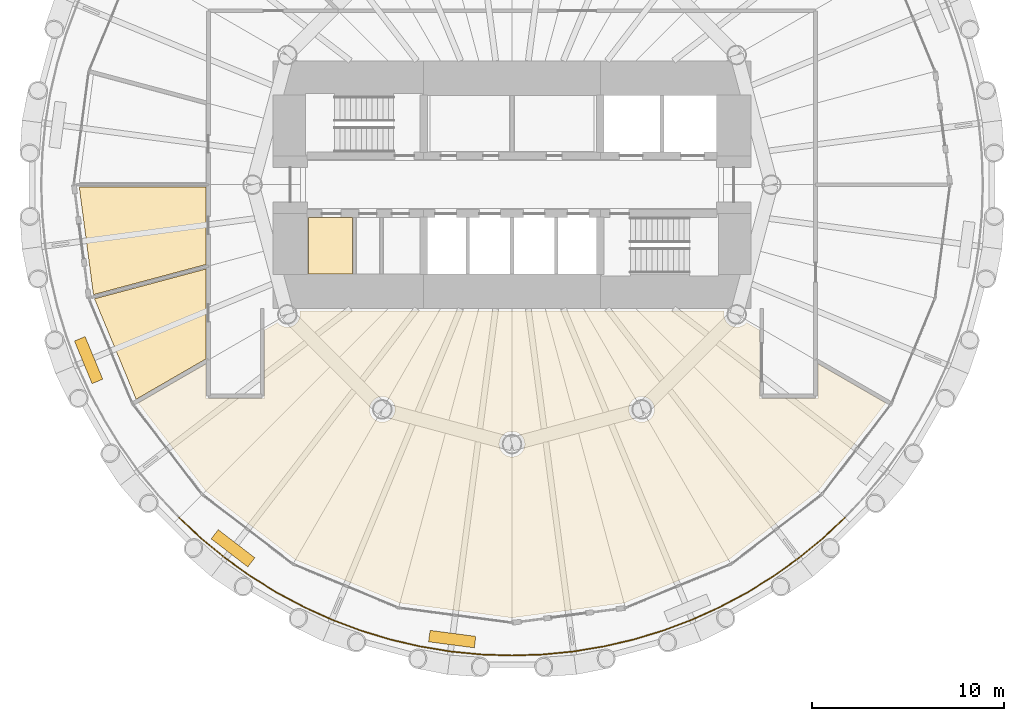
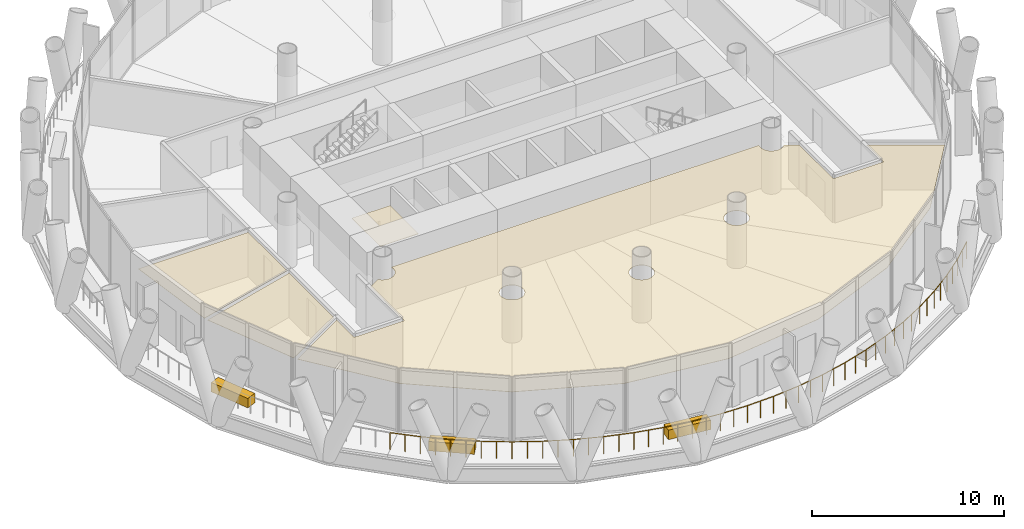
# One storey, part 11 of 14: 7 coverings, 1 railing.
"""IFC4 building model written with IfcOpenShell, lengths in metres."""

from ifc_helpers import new_model, si_unit, direction, frame, origin, origin_2d, place, context, subcontext, project, spatial, polyline, rectangle, circle, outline, extrude, material, layer, layer_set, type_object, element, save


model = new_model("IFC4")

# Units and contexts
model_context = context("Model", 3, precision=1e-05, world=origin(), true_north=direction((0.0, 1.0)))
body_context = subcontext(model_context, "Body", "Model", "MODEL_VIEW")
ifc_project = project(units=[si_unit("LENGTHUNIT", "METRE"), si_unit("AREAUNIT", "SQUARE_METRE"), si_unit("VOLUMEUNIT", "CUBIC_METRE"), si_unit("PLANEANGLEUNIT", "RADIAN"), si_unit("MASSUNIT", "GRAM", prefix="KILO")], contexts=[model_context])

# Site, building, storey
site_placement = place(None, origin())
site = spatial("IfcSite", under=ifc_project, at=site_placement, CompositionType="ELEMENT")
building_placement = place(site_placement, origin())
building = spatial("IfcBuilding", under=site, at=building_placement, Name="Qaws Media Tower", CompositionType="ELEMENT")
storey_placement = place(building_placement, frame((0.0, 0.0, 118.39990234375)))
storey = spatial("IfcBuildingStorey", under=building, at=storey_placement, Name="L26", CompositionType="ELEMENT", Elevation=118.39990234375)

# Railing
ifc_material_1 = material(Name="Stainless steel and glass guard", Category="steel")
railing_type = type_object("IfcRailingType", Name="Balcony guard 1100", PredefinedType="GUARDRAIL", material=ifc_material_1)
railing_placement = place(storey_placement, frame((42.67578125, 32.67578125, 0.0)))
element("IfcRailing", 1, at=railing_placement, inside=storey, type_object=railing_type, Name="GR1 balcony guard L26-3", PredefinedType="GUARDRAIL", context=body_context, shape_type="SweptSolid", body=[
    extrude(circle(Radius=0.02392578125, at=origin_2d()), frame((0.0, 0.0, 1.076171875), z_axis=(0.729874282571, -0.683581400889, 0.0), x_axis=(0.683581400889, 0.729874282571, 0.0)), (0.0, 0.0, 1.0), 1.603271484375),
    extrude(circle(Radius=0.02392578125, at=origin_2d()), frame((1.170166015625, -1.095947265625, 1.076171875), z_axis=(0.773054224707, -0.634339944874, 0.0), x_axis=(0.634339944874, 0.773054224707, 0.0)), (0.0, 0.0, 1.0), 1.603271484375),
    extrude(circle(Radius=0.02392578125, at=origin_2d()), frame((2.40966796875, -2.113037109375, 1.076171875), z_axis=(0.812806311002, -0.582534034023, 0.0), x_axis=(0.582534034023, 0.812806311002, 0.0)), (0.0, 0.0, 1.0), 1.60302734375),
    extrude(circle(Radius=0.02392578125, at=origin_2d()), frame((3.712646484375, -3.046875, 1.076171875), z_axis=(0.849270562215, -0.527957869679, 0.0), x_axis=(0.527957869679, 0.849270562215, 0.0)), (0.0, 0.0, 1.0), 1.603271484375),
    extrude(circle(Radius=0.02392578125, at=origin_2d()), frame((5.07421875, -3.893310546875, 1.076171875), z_axis=(0.881880362011, -0.471473251733, 0.0), x_axis=(0.471473251733, 0.881880362011, 0.0)), (0.0, 0.0, 1.0), 1.603271484375),
    extrude(circle(Radius=0.02392578125, at=origin_2d()), frame((6.488037109375, -4.649169921875, 1.076171875), z_axis=(0.910887231812, -0.412655365799, 0.0), x_axis=(0.412655365799, 0.910887231812, 0.0)), (0.0, 0.0, 1.0), 1.603271484375),
    extrude(circle(Radius=0.02392578125, at=origin_2d()), frame((7.948486328125, -5.310791015625, 1.076171875), z_axis=(0.935915495174, -0.352224624201, 0.0), x_axis=(0.352224624201, 0.935915495174, 0.0)), (0.0, 0.0, 1.0), 1.603271484375),
    extrude(circle(Radius=0.02392578125, at=origin_2d()), frame((9.448974609375, -5.87548828125, 1.076171875), z_axis=(0.956907782208, -0.290391970189, 0.0), x_axis=(0.290391970189, 0.956907782208, 0.0)), (0.0, 0.0, 1.0), 1.603271484375),
    extrude(circle(Radius=0.02392578125, at=origin_2d()), frame((10.983154296875, -6.341064453125, 1.076171875), z_axis=(0.973880510773, -0.227061116742, 0.0), x_axis=(0.227061116742, 0.973880510773, 0.0)), (0.0, 0.0, 1.0), 1.603271484375),
    extrude(circle(Radius=0.02392578125, at=origin_2d()), frame((12.54443359375, -6.705078125, 1.076171875), z_axis=(0.986660146997, -0.162793594249, 0.0), x_axis=(0.162793594249, 0.986660146997, 0.0)), (0.0, 0.0, 1.0), 1.603271484375),
    extrude(circle(Radius=0.02392578125, at=origin_2d()), frame((14.126220703125, -6.966064453125, 1.076171875), z_axis=(0.995180861496, -0.098056376194, 0.0), x_axis=(0.098056376194, 0.995180861496, 0.0)), (0.0, 0.0, 1.0), 1.603515625),
    extrude(circle(Radius=0.02392578125, at=origin_2d()), frame((15.721923828125, -7.123291015625, 1.076171875), z_axis=(0.999463842074, -0.03274184459, 0.0), x_axis=(0.03274184459, 0.999463842074, 0.0)), (0.0, 0.0, 1.0), 1.603271484375),
    extrude(circle(Radius=0.02392578125, at=origin_2d()), frame((17.32421875, -7.17578125, 1.076171875), z_axis=(0.999463842074, 0.03274184459, 0.0), x_axis=(-0.03274184459, 0.999463842074, 0.0)), (0.0, 0.0, 1.0), 1.603271484375),
    extrude(circle(Radius=0.02392578125, at=origin_2d()), frame((18.926513671875, -7.123291015625, 1.076171875), z_axis=(0.995180861496, 0.098056376194, 0.0), x_axis=(-0.098056376194, 0.995180861496, 0.0)), (0.0, 0.0, 1.0), 1.603515625),
    extrude(circle(Radius=0.02392578125, at=origin_2d()), frame((20.522216796875, -6.966064453125, 1.076171875), z_axis=(0.986660146997, 0.162793594249, 0.0), x_axis=(-0.162793594249, 0.986660146997, 0.0)), (0.0, 0.0, 1.0), 1.603271484375),
    extrude(circle(Radius=0.02392578125, at=origin_2d()), frame((22.10400390625, -6.705078125, 1.076171875), z_axis=(0.973880510773, 0.227061116742, 0.0), x_axis=(-0.227061116742, 0.973880510773, 0.0)), (0.0, 0.0, 1.0), 1.603271484375),
    extrude(circle(Radius=0.02392578125, at=origin_2d()), frame((23.665283203125, -6.341064453125, 1.076171875), z_axis=(0.956907782208, 0.290391970189, 0.0), x_axis=(-0.290391970189, 0.956907782208, 0.0)), (0.0, 0.0, 1.0), 1.603271484375),
    extrude(circle(Radius=0.02392578125, at=origin_2d()), frame((25.199462890625, -5.87548828125, 1.076171875), z_axis=(0.935915495174, 0.352224624201, 0.0), x_axis=(-0.352224624201, 0.935915495174, 0.0)), (0.0, 0.0, 1.0), 1.603271484375),
    extrude(circle(Radius=0.02392578125, at=origin_2d()), frame((26.699951171875, -5.310791015625, 1.076171875), z_axis=(0.910887231812, 0.412655365799, 0.0), x_axis=(-0.412655365799, 0.910887231812, 0.0)), (0.0, 0.0, 1.0), 1.603271484375),
    extrude(circle(Radius=0.02392578125, at=origin_2d()), frame((28.160400390625, -4.649169921875, 1.076171875), z_axis=(0.881880362011, 0.471473251733, 0.0), x_axis=(-0.471473251733, 0.881880362011, 0.0)), (0.0, 0.0, 1.0), 1.603271484375),
    extrude(circle(Radius=0.02392578125, at=origin_2d()), frame((29.57421875, -3.893310546875, 1.076171875), z_axis=(0.849270562215, 0.527957869679, 0.0), x_axis=(-0.527957869679, 0.849270562215, 0.0)), (0.0, 0.0, 1.0), 1.603271484375),
    extrude(circle(Radius=0.02392578125, at=origin_2d()), frame((30.935791015625, -3.046875, 1.076171875), z_axis=(0.812806311002, 0.582534034023, 0.0), x_axis=(-0.582534034023, 0.812806311002, 0.0)), (0.0, 0.0, 1.0), 1.60302734375),
    extrude(circle(Radius=0.02392578125, at=origin_2d()), frame((32.23876953125, -2.113037109375, 1.076171875), z_axis=(0.773054224707, 0.634339944874, 0.0), x_axis=(-0.634339944874, 0.773054224707, 0.0)), (0.0, 0.0, 1.0), 1.603271484375),
    extrude(circle(Radius=0.02392578125, at=origin_2d()), frame((33.478271484375, -1.095947265625, 1.076171875), z_axis=(0.729874282571, 0.683581400889, 0.0), x_axis=(-0.683581400889, 0.729874282571, 0.0)), (0.0, 0.0, 1.0), 1.603271484375),
    extrude(circle(Radius=0.02099609375, at=origin_2d()), origin(), (0.0, 0.0, 1.0), 1.052001953125),
    extrude(circle(Radius=0.02099609375, at=origin_2d()), frame((0.5849609375, -0.5478515625, 0.0)), (0.0, 0.0, 1.0), 1.052001953125),
    extrude(circle(Radius=0.02099609375, at=origin_2d()), frame((1.170166015625, -1.095947265625, 0.0)), (0.0, 0.0, 1.0), 1.052001953125),
    extrude(circle(Radius=0.02099609375, at=origin_2d()), frame((1.7900390625, -1.6044921875, 0.0)), (0.0, 0.0, 1.0), 1.052001953125),
    extrude(circle(Radius=0.02099609375, at=origin_2d()), frame((2.40966796875, -2.113037109375, 0.0)), (0.0, 0.0, 1.0), 1.052001953125),
    extrude(circle(Radius=0.02099609375, at=origin_2d()), frame((3.06103515625, -2.580078125, 0.0)), (0.0, 0.0, 1.0), 1.052001953125),
    extrude(circle(Radius=0.02099609375, at=origin_2d()), frame((3.712646484375, -3.046875, 0.0)), (0.0, 0.0, 1.0), 1.052001953125),
    extrude(circle(Radius=0.02099609375, at=origin_2d()), frame((4.3935546875, -3.47021484375, 0.0)), (0.0, 0.0, 1.0), 1.052001953125),
    extrude(circle(Radius=0.02099609375, at=origin_2d()), frame((5.07421875, -3.893310546875, 0.0)), (0.0, 0.0, 1.0), 1.052001953125),
    extrude(circle(Radius=0.02099609375, at=origin_2d()), frame((5.78125, -4.271240234375, 0.0)), (0.0, 0.0, 1.0), 1.052001953125),
    extrude(circle(Radius=0.02099609375, at=origin_2d()), frame((6.488037109375, -4.649169921875, 0.0)), (0.0, 0.0, 1.0), 1.052001953125),
    extrude(circle(Radius=0.02099609375, at=origin_2d()), frame((7.21826171875, -4.97998046875, 0.0)), (0.0, 0.0, 1.0), 1.052001953125),
    extrude(circle(Radius=0.02099609375, at=origin_2d()), frame((7.948486328125, -5.310791015625, 0.0)), (0.0, 0.0, 1.0), 1.052001953125),
    extrude(circle(Radius=0.02099609375, at=origin_2d()), frame((8.69873046875, -5.59326171875, 0.0)), (0.0, 0.0, 1.0), 1.052001953125),
    extrude(circle(Radius=0.02099609375, at=origin_2d()), frame((9.448974609375, -5.87548828125, 0.0)), (0.0, 0.0, 1.0), 1.052001953125),
    extrude(circle(Radius=0.02099609375, at=origin_2d()), frame((10.216064453125, -6.1083984375, 0.0)), (0.0, 0.0, 1.0), 1.052001953125),
    extrude(circle(Radius=0.02099609375, at=origin_2d()), frame((10.983154296875, -6.341064453125, 0.0)), (0.0, 0.0, 1.0), 1.052001953125),
    extrude(circle(Radius=0.02099609375, at=origin_2d()), frame((11.763671875, -6.52294921875, 0.0)), (0.0, 0.0, 1.0), 1.052001953125),
    extrude(circle(Radius=0.02099609375, at=origin_2d()), frame((12.54443359375, -6.705078125, 0.0)), (0.0, 0.0, 1.0), 1.052001953125),
    extrude(circle(Radius=0.02099609375, at=origin_2d()), frame((13.33544921875, -6.83544921875, 0.0)), (0.0, 0.0, 1.0), 1.052001953125),
    extrude(circle(Radius=0.02099609375, at=origin_2d()), frame((14.126220703125, -6.966064453125, 0.0)), (0.0, 0.0, 1.0), 1.052001953125),
    extrude(circle(Radius=0.02099609375, at=origin_2d()), frame((14.924072265625, -7.044677734375, 0.0)), (0.0, 0.0, 1.0), 1.052001953125),
    extrude(circle(Radius=0.02099609375, at=origin_2d()), frame((15.721923828125, -7.123291015625, 0.0)), (0.0, 0.0, 1.0), 1.052001953125),
    extrude(circle(Radius=0.02099609375, at=origin_2d()), frame((16.52294921875, -7.1494140625, 0.0)), (0.0, 0.0, 1.0), 1.052001953125),
    extrude(circle(Radius=0.02099609375, at=origin_2d()), frame((17.32421875, -7.17578125, 0.0)), (0.0, 0.0, 1.0), 1.052001953125),
    extrude(circle(Radius=0.02099609375, at=origin_2d()), frame((18.12548828125, -7.1494140625, 0.0)), (0.0, 0.0, 1.0), 1.052001953125),
    extrude(circle(Radius=0.02099609375, at=origin_2d()), frame((18.926513671875, -7.123291015625, 0.0)), (0.0, 0.0, 1.0), 1.052001953125),
    extrude(circle(Radius=0.02099609375, at=origin_2d()), frame((19.724365234375, -7.044677734375, 0.0)), (0.0, 0.0, 1.0), 1.052001953125),
    extrude(circle(Radius=0.02099609375, at=origin_2d()), frame((20.522216796875, -6.966064453125, 0.0)), (0.0, 0.0, 1.0), 1.052001953125),
    extrude(circle(Radius=0.02099609375, at=origin_2d()), frame((21.31298828125, -6.83544921875, 0.0)), (0.0, 0.0, 1.0), 1.052001953125),
    extrude(circle(Radius=0.02099609375, at=origin_2d()), frame((22.10400390625, -6.705078125, 0.0)), (0.0, 0.0, 1.0), 1.052001953125),
    extrude(circle(Radius=0.02099609375, at=origin_2d()), frame((22.884765625, -6.52294921875, 0.0)), (0.0, 0.0, 1.0), 1.052001953125),
    extrude(circle(Radius=0.02099609375, at=origin_2d()), frame((23.665283203125, -6.341064453125, 0.0)), (0.0, 0.0, 1.0), 1.052001953125),
    extrude(circle(Radius=0.02099609375, at=origin_2d()), frame((24.432373046875, -6.1083984375, 0.0)), (0.0, 0.0, 1.0), 1.052001953125),
    extrude(circle(Radius=0.02099609375, at=origin_2d()), frame((25.199462890625, -5.87548828125, 0.0)), (0.0, 0.0, 1.0), 1.052001953125),
    extrude(circle(Radius=0.02099609375, at=origin_2d()), frame((25.94970703125, -5.59326171875, 0.0)), (0.0, 0.0, 1.0), 1.052001953125),
    extrude(circle(Radius=0.02099609375, at=origin_2d()), frame((26.699951171875, -5.310791015625, 0.0)), (0.0, 0.0, 1.0), 1.052001953125),
    extrude(circle(Radius=0.02099609375, at=origin_2d()), frame((27.43017578125, -4.97998046875, 0.0)), (0.0, 0.0, 1.0), 1.052001953125),
    extrude(circle(Radius=0.02099609375, at=origin_2d()), frame((28.160400390625, -4.649169921875, 0.0)), (0.0, 0.0, 1.0), 1.052001953125),
    extrude(circle(Radius=0.02099609375, at=origin_2d()), frame((28.8671875, -4.271240234375, 0.0)), (0.0, 0.0, 1.0), 1.052001953125),
    extrude(circle(Radius=0.02099609375, at=origin_2d()), frame((29.57421875, -3.893310546875, 0.0)), (0.0, 0.0, 1.0), 1.052001953125),
    extrude(circle(Radius=0.02099609375, at=origin_2d()), frame((30.2548828125, -3.47021484375, 0.0)), (0.0, 0.0, 1.0), 1.052001953125),
    extrude(circle(Radius=0.02099609375, at=origin_2d()), frame((30.935791015625, -3.046875, 0.0)), (0.0, 0.0, 1.0), 1.052001953125),
    extrude(circle(Radius=0.02099609375, at=origin_2d()), frame((31.58740234375, -2.580078125, 0.0)), (0.0, 0.0, 1.0), 1.052001953125),
    extrude(circle(Radius=0.02099609375, at=origin_2d()), frame((32.23876953125, -2.113037109375, 0.0)), (0.0, 0.0, 1.0), 1.052001953125),
    extrude(circle(Radius=0.02099609375, at=origin_2d()), frame((32.8583984375, -1.6044921875, 0.0)), (0.0, 0.0, 1.0), 1.052001953125),
    extrude(circle(Radius=0.02099609375, at=origin_2d()), frame((33.478271484375, -1.095947265625, 0.0)), (0.0, 0.0, 1.0), 1.052001953125),
    extrude(circle(Radius=0.02099609375, at=origin_2d()), frame((34.0634765625, -0.5478515625, 0.0)), (0.0, 0.0, 1.0), 1.052001953125),
    extrude(circle(Radius=0.02099609375, at=origin_2d()), frame((34.6484375, 0.0, 0.0)), (0.0, 0.0, 1.0), 1.052001953125),
])

# Coverings
ifc_material_2 = material(Name="600 x 600 mineral fibre tiles in exposed grid, suspended", Category="mineral fibre")
ifc_layer_1 = layer(ifc_material_2, 0.02001953125)
ifc_layer_set_1 = layer_set([ifc_layer_1], Name="Mineral fibre tile ceiling 20")
covering_type_1 = type_object("IfcCoveringType", Name="Mineral fibre tile ceiling 20", PredefinedType="CEILING", material=ifc_layer_set_1)
covering_1_placement = place(storey_placement, frame((0.0, 0.0, 2.85009765625)))
element("IfcCovering", 2, at=covering_1_placement, inside=storey, type_object=covering_type_1, Name="CL1 ceiling L26-05 Office", PredefinedType="CEILING", context=body_context, shape_type="SweptSolid", body=[
    extrude(outline(polyline([(37.4794921875, 49.887451171875), (44.08740234375, 49.887451171875), (44.08740234375, 45.852783203125), (38.2177734375, 44.280029296875), (37.4794921875, 49.887451171875)])), origin(), (0.0, 0.0, 1.0), 0.02001953125),
])
covering_2_placement = place(storey_placement, frame((0.0, 0.0, 2.85009765625)))
element("IfcCovering", 3, at=covering_2_placement, inside=storey, type_object=covering_type_1, Name="CL1 ceiling L26-06 Office", PredefinedType="CEILING", context=body_context, shape_type="SweptSolid", body=[
    extrude(outline(polyline([(38.276123046875, 44.0625), (44.08740234375, 45.619873046875), (44.08740234375, 40.94287109375), (40.4404296875, 38.837158203125), (38.276123046875, 44.0625)])), origin(), (0.0, 0.0, 1.0), 0.02001953125),
])
covering_3_placement = place(storey_placement, frame((0.0, 0.0, 2.85009765625)))
element("IfcCovering", 4, at=covering_3_placement, inside=storey, type_object=covering_type_1, Name="CL1 ceiling L26-07 Sales office", PredefinedType="CEILING", context=body_context, shape_type="SweptSolid", body=[
    extrude(outline(polyline([(72.887451171875, 38.887451171875), (75.91259765625, 38.887451171875), (75.91259765625, 40.68310546875), (79.447021484375, 38.642333984375), (75.934814453125, 34.065185546875), (71.267578125, 30.48388671875), (65.83251953125, 28.232666015625), (60.0, 27.46484375), (54.16748046875, 28.232666015625), (48.732421875, 30.48388671875), (44.065185546875, 34.065185546875), (40.552978515625, 38.642333984375), (44.08740234375, 40.68310546875), (44.08740234375, 38.887451171875), (47.112548828125, 38.887451171875), (47.112548828125, 42.429443359375), (47.795654296875, 42.823974609375), (47.836181640625, 42.777587890625), (47.902099609375, 42.719970703125), (47.974609375, 42.67138671875), (48.052978515625, 42.6328125), (48.1357421875, 42.604736328125), (48.221435546875, 42.587646484375), (48.30859375, 42.58203125), (48.395751953125, 42.587646484375), (48.4814453125, 42.604736328125), (48.564208984375, 42.6328125), (48.642578125, 42.67138671875), (48.71533203125, 42.719970703125), (48.781005859375, 42.777587890625), (48.838623046875, 42.84326171875), (48.88720703125, 42.916015625), (48.92578125, 42.994384765625), (48.953857421875, 43.0771484375), (48.970947265625, 43.162841796875), (48.976806640625, 43.25), (48.970947265625, 43.337158203125), (48.953857421875, 43.4228515625), (48.948974609375, 43.4375), (71.051025390625, 43.4375), (71.046142578125, 43.4228515625), (71.029052734375, 43.337158203125), (71.023193359375, 43.25), (71.029052734375, 43.162841796875), (71.046142578125, 43.0771484375), (71.07421875, 42.994384765625), (71.11279296875, 42.916015625), (71.161376953125, 42.84326171875), (71.218994140625, 42.777587890625), (71.28466796875, 42.719970703125), (71.357421875, 42.67138671875), (71.435791015625, 42.6328125), (71.5185546875, 42.604736328125), (71.604248046875, 42.587646484375), (71.69140625, 42.58203125), (71.778564453125, 42.587646484375), (71.8642578125, 42.604736328125), (71.947021484375, 42.6328125), (72.025390625, 42.67138671875), (72.097900390625, 42.719970703125), (72.163818359375, 42.777587890625), (72.204345703125, 42.823974609375), (72.887451171875, 42.429443359375), (72.887451171875, 38.887451171875)]), holes=[polyline([(53.895263671875, 38.1357421875), (53.912353515625, 38.221435546875), (53.91796875, 38.30859375), (53.912353515625, 38.395751953125), (53.895263671875, 38.4814453125), (53.8671875, 38.564208984375), (53.82861328125, 38.642578125), (53.780029296875, 38.71533203125), (53.722412109375, 38.781005859375), (53.65673828125, 38.838623046875), (53.583984375, 38.88720703125), (53.505615234375, 38.92578125), (53.4228515625, 38.953857421875), (53.337158203125, 38.970947265625), (53.25, 38.976806640625), (53.162841796875, 38.970947265625), (53.0771484375, 38.953857421875), (52.994384765625, 38.92578125), (52.916015625, 38.88720703125), (52.84326171875, 38.838623046875), (52.777587890625, 38.781005859375), (52.719970703125, 38.71533203125), (52.67138671875, 38.642578125), (52.6328125, 38.564208984375), (52.604736328125, 38.4814453125), (52.587646484375, 38.395751953125), (52.58203125, 38.30859375), (52.587646484375, 38.221435546875), (52.604736328125, 38.1357421875), (52.6328125, 38.052978515625), (52.67138671875, 37.974609375), (52.719970703125, 37.902099609375), (52.777587890625, 37.836181640625), (52.84326171875, 37.77880859375), (52.916015625, 37.730224609375), (52.994384765625, 37.69140625), (53.0771484375, 37.663330078125), (53.162841796875, 37.646484375), (53.25, 37.640625), (53.337158203125, 37.646484375), (53.4228515625, 37.663330078125), (53.505615234375, 37.69140625), (53.583984375, 37.730224609375), (53.65673828125, 37.77880859375), (53.722412109375, 37.836181640625), (53.780029296875, 37.902099609375), (53.82861328125, 37.974609375), (53.8671875, 38.052978515625), (53.895263671875, 38.1357421875)]), polyline([(60.645263671875, 36.3271484375), (60.662353515625, 36.412841796875), (60.66796875, 36.5), (60.662353515625, 36.587158203125), (60.645263671875, 36.6728515625), (60.6171875, 36.755615234375), (60.57861328125, 36.833984375), (60.530029296875, 36.90673828125), (60.472412109375, 36.972412109375), (60.40673828125, 37.030029296875), (60.333984375, 37.07861328125), (60.255615234375, 37.1171875), (60.1728515625, 37.145263671875), (60.087158203125, 37.162353515625), (60.0, 37.16796875), (59.912841796875, 37.162353515625), (59.8271484375, 37.145263671875), (59.744384765625, 37.1171875), (59.666015625, 37.07861328125), (59.59326171875, 37.030029296875), (59.527587890625, 36.972412109375), (59.469970703125, 36.90673828125), (59.42138671875, 36.833984375), (59.3828125, 36.755615234375), (59.354736328125, 36.6728515625), (59.337646484375, 36.587158203125), (59.33203125, 36.5), (59.337646484375, 36.412841796875), (59.354736328125, 36.3271484375), (59.3828125, 36.244384765625), (59.42138671875, 36.166015625), (59.469970703125, 36.09326171875), (59.527587890625, 36.027587890625), (59.59326171875, 35.969970703125), (59.666015625, 35.92138671875), (59.744384765625, 35.8828125), (59.8271484375, 35.854736328125), (59.912841796875, 35.837646484375), (60.0, 35.83203125), (60.087158203125, 35.837646484375), (60.1728515625, 35.854736328125), (60.255615234375, 35.8828125), (60.333984375, 35.92138671875), (60.40673828125, 35.969970703125), (60.472412109375, 36.027587890625), (60.530029296875, 36.09326171875), (60.57861328125, 36.166015625), (60.6171875, 36.244384765625), (60.645263671875, 36.3271484375)]), polyline([(67.3671875, 38.052978515625), (67.395263671875, 38.1357421875), (67.412353515625, 38.221435546875), (67.41796875, 38.30859375), (67.412353515625, 38.395751953125), (67.395263671875, 38.4814453125), (67.3671875, 38.564208984375), (67.32861328125, 38.642578125), (67.280029296875, 38.71533203125), (67.222412109375, 38.781005859375), (67.15673828125, 38.838623046875), (67.083984375, 38.88720703125), (67.005615234375, 38.92578125), (66.9228515625, 38.953857421875), (66.837158203125, 38.970947265625), (66.75, 38.976806640625), (66.662841796875, 38.970947265625), (66.5771484375, 38.953857421875), (66.494384765625, 38.92578125), (66.416015625, 38.88720703125), (66.34326171875, 38.838623046875), (66.277587890625, 38.781005859375), (66.219970703125, 38.71533203125), (66.17138671875, 38.642578125), (66.1328125, 38.564208984375), (66.104736328125, 38.4814453125), (66.087646484375, 38.395751953125), (66.08203125, 38.30859375), (66.087646484375, 38.221435546875), (66.104736328125, 38.1357421875), (66.1328125, 38.052978515625), (66.17138671875, 37.974609375), (66.219970703125, 37.902099609375), (66.277587890625, 37.836181640625), (66.34326171875, 37.77880859375), (66.416015625, 37.730224609375), (66.494384765625, 37.69140625), (66.5771484375, 37.663330078125), (66.662841796875, 37.646484375), (66.75, 37.640625), (66.837158203125, 37.646484375), (66.9228515625, 37.663330078125), (67.005615234375, 37.69140625), (67.083984375, 37.730224609375), (67.15673828125, 37.77880859375), (67.222412109375, 37.836181640625), (67.280029296875, 37.902099609375), (67.32861328125, 37.974609375), (67.3671875, 38.052978515625)])]), origin(), (0.0, 0.0, 1.0), 0.02001953125),
])
ifc_material_3 = material(Name="Precast concrete planter with trailing planting", Category="concrete")
ifc_layer_2 = layer(ifc_material_3, 0.60009765625)
ifc_layer_set_2 = layer_set([ifc_layer_2], Name="Planter 2400x600")
covering_type_2 = type_object("IfcCoveringType", Name="Planter 2400x600", PredefinedType="USERDEFINED", material=ifc_layer_set_2)
for number, where, z_axis, x_axis, name in (
    (5, (37.965576171875, 40.873046875, 0.0), (0.0, 0.0, 1.0), (0.382683432365, -0.923879532511, 0.0), "PL1 balcony planter L26-07"),
    (6, (45.48095703125, 31.07861328125, 0.0), (0.0, 0.0, 1.0), (0.793353340291, -0.608761429009, 0.0), "PL1 balcony planter L26-08"),
    (7, (56.886962890625, 26.35400390625, 0.0), (0.0, 0.0, 1.0), (0.991444861374, -0.13052619222, 0.0), "PL1 balcony planter L26-09"),
):
    element("IfcCovering", number, at=place(storey_placement, frame(where, z_axis=z_axis, x_axis=x_axis)), inside=storey, type_object=covering_type_2, Name=name, ObjectType="PLANTER", PredefinedType="USERDEFINED", context=body_context, shape_type="SweptSolid", body=[
        extrude(rectangle(XDim=2.39990234375, YDim=0.60009765625, at=origin_2d()), origin(), (0.0, 0.0, 1.0), 0.60009765625),
    ])
ifc_material_4 = material(Name="Two layers 12.5 moisture-resistant plasterboard on suspended metal furring", Category="gypsum")
ifc_layer_3 = layer(ifc_material_4, 0.02490234375)
ifc_layer_set_3 = layer_set([ifc_layer_3], Name="Plasterboard ceiling 25")
covering_type_3 = type_object("IfcCoveringType", Name="Plasterboard ceiling 25", PredefinedType="CEILING", material=ifc_layer_set_3)
covering_4_placement = place(storey_placement, frame((0.0, 0.0, 2.85009765625)))
element("IfcCovering", 8, at=covering_4_placement, inside=storey, type_object=covering_type_3, Name="CL2 ceiling L26-C04 Accessible WC", PredefinedType="CEILING", context=body_context, shape_type="SweptSolid", body=[
    extrude(outline(polyline([(49.39990234375, 45.35009765625), (49.39990234375, 48.300048828125), (51.699951171875, 48.300048828125), (51.699951171875, 45.35009765625), (49.39990234375, 45.35009765625)])), origin(), (0.0, 0.0, 1.0), 0.02490234375),
])

save(model, "model.ifc")
